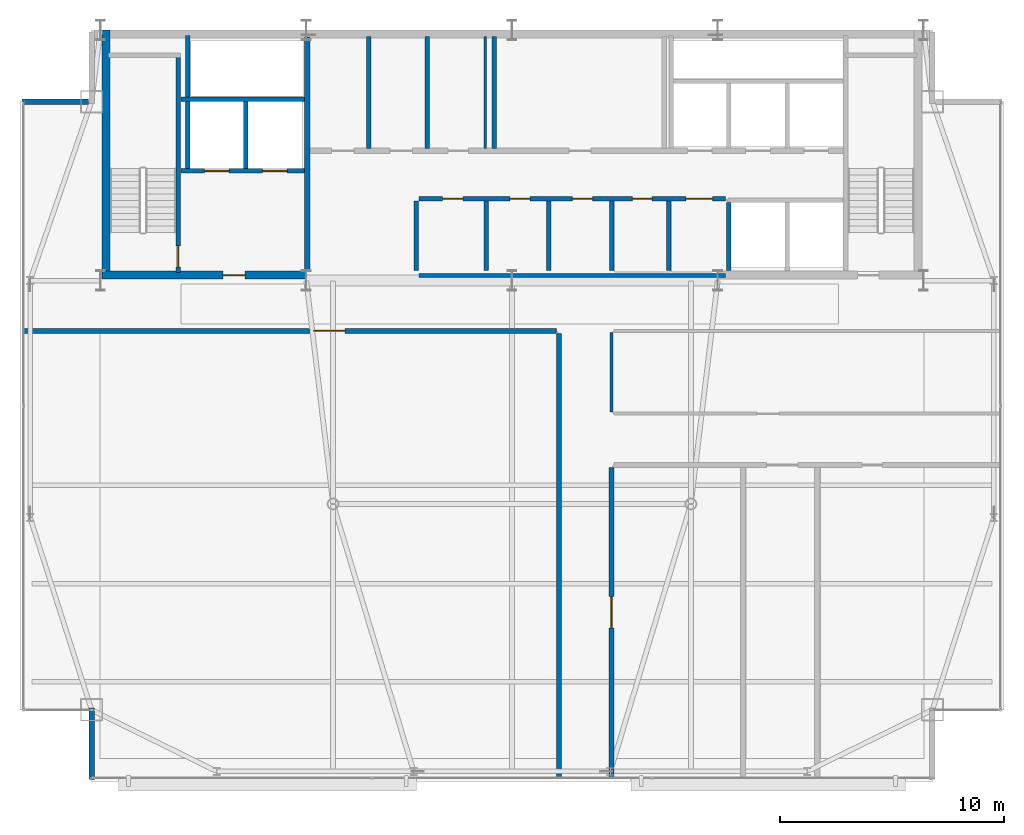
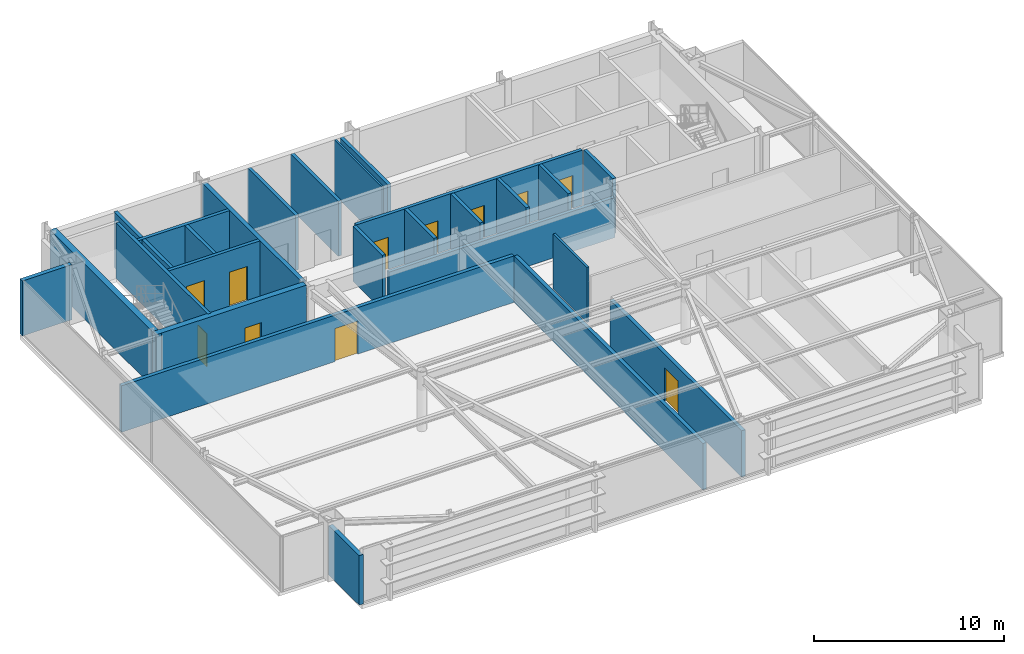
# One storey, part 21 of 24: 26 walls, 11 doors, 11 openings.
"""IFC4 building model written with IfcOpenShell, lengths in metres."""

from ifc_helpers import new_model, si_unit, direction, frame, frame_2d, origin, place, context, subcontext, project, spatial, rectangle, extrude, source, transform, mapped, material, layer, layer_set, type_object, type_shapes, element, fill, save


model = new_model("IFC4")

# Units and contexts
model_context = context("Model", 3, precision=1e-05, world=origin(), true_north=direction((0.0, 1.0)))
body_context = subcontext(model_context, "Body", "Model", "MODEL_VIEW")
ifc_project = project(units=[si_unit("LENGTHUNIT", "METRE"), si_unit("AREAUNIT", "SQUARE_METRE"), si_unit("VOLUMEUNIT", "CUBIC_METRE"), si_unit("PLANEANGLEUNIT", "RADIAN"), si_unit("MASSUNIT", "GRAM", prefix="KILO")], contexts=[model_context])

# Site, building, storey
site_placement = place(None, origin())
site = spatial("IfcSite", under=ifc_project, at=site_placement, CompositionType="ELEMENT")
building_placement = place(site_placement, origin())
building = spatial("IfcBuilding", under=site, at=building_placement, Name="Varnel Quay Broadcast Tower", CompositionType="ELEMENT")
storey_placement = place(building_placement, frame((0.0, 0.0, 285.0)))
storey = spatial("IfcBuildingStorey", under=building, at=storey_placement, Name="L71", CompositionType="ELEMENT", Elevation=285.0)

# Wall, opening, door
ifc_material_1 = material(Name="Concrete CSA A23.3 C50/60", Category="concrete")
ifc_layer_1 = layer(ifc_material_1, 0.199951171875, Name="Concrete CSA A23.3 C50/60")
ifc_layer_set_1 = layer_set([ifc_layer_1], Name="Concrete CSA A23.3 C50/60")
wall_type_1 = type_object("IfcWallType", Name="Wall_CoreShaftShear200", PredefinedType="SHEAR", material=ifc_layer_set_1)
wall_1_placement = place(storey_placement, frame((19.080078125, 35.949951171875, 0.0), z_axis=(0.0, 0.0, 1.0), x_axis=(0.0, 1.0, 0.0)))
wall_1 = element("IfcWall", 1, at=wall_1_placement, inside=storey, type_object=wall_type_1, Name="L71 Stair 1 East Structural Wall", PredefinedType="SHEAR", context=body_context, shape_type="SweptSolid", body=[
    extrude(rectangle(XDim=9.650146484375, YDim=0.199951171875, at=frame_2d((4.8251953125, 0.0))), origin(), (0.0, 0.0, 1.0), 3.550048828125),
])
opening_1_placement = place(wall_1_placement, frame((0.25, 0.0, 0.0)))
opening_1 = element("IfcOpeningElement", 2, at=opening_1_placement, cuts=wall_1, Name="Opening D-L71-S1", PredefinedType="OPENING", context=body_context, shape_type="SweptSolid", body=[
    extrude(rectangle(XDim=0.949951171875, YDim=2.10009765625, at=frame_2d((0.47509765625, 1.050048828125))), frame((0.0, 0.10986328125, 0.0), z_axis=(0.0, -1.0, 0.0), x_axis=(1.0, 0.0, 0.0)), (0.0, 0.0, 1.0), 0.219970703125),
])
ifc_material_2 = material(Name="Insulated Fire-Rated Hollow Steel Door", Category="steel")
door_type_1 = type_object("IfcDoorType", Name="Door_FireStair950", OperationType="NOTDEFINED", PredefinedType="DOOR", material=ifc_material_2)
shared_shape_1 = source(origin(), body_context, "Body", "SweptSolid", [
    extrude(rectangle(XDim=0.949951171875, YDim=2.10009765625, at=frame_2d((0.47509765625, 1.050048828125))), frame((0.0, 0.02490234375, 0.0), z_axis=(0.0, -1.0, 0.0), x_axis=(1.0, 0.0, 0.0)), (0.0, 0.0, 1.0), 0.050048828125),
])
type_shapes(door_type_1, [shared_shape_1])
door_1_placement = place(opening_1_placement, origin())
door_1 = element("IfcDoor", 3, at=door_1_placement, inside=storey, type_object=door_type_1, Name="L71 Stair 1 Fire Door", OperationType="SINGLE_SWING_RIGHT", OverallHeight=2.10009765625, OverallWidth=0.949951171875, PredefinedType="DOOR", context=body_context, shape_type="MappedRepresentation", body=[
    mapped(shared_shape_1, transform((0.0, 0.0, 0.0), x_axis=(1.0, 0.0, 0.0), y_axis=(0.0, 1.0, 0.0), z_axis=(0.0, 0.0, 1.0), scale=1.0)),
])
fill(opening_1, door_1)

# Wall, openings, doors
wall_2_placement = place(storey_placement, frame((19.199951171875, 40.5, 0.0), z_axis=(0.0, 0.0, 1.0), x_axis=(1.0, 0.0, 0.0)))
wall_2 = element("IfcWall", 4, at=wall_2_placement, inside=storey, type_object=wall_type_1, Name="L71 Firefighter Lift Shaft Front Wall", PredefinedType="SHEAR", context=body_context, shape_type="SweptSolid", body=[
    extrude(rectangle(XDim=5.52001953125, YDim=0.199951171875, at=frame_2d((2.760009765625, 0.0))), origin(), (0.0, 0.0, 1.0), 3.550048828125),
])
opening_2_placement = place(wall_2_placement, frame((1.050048828125, 0.0, 0.0)))
opening_2 = element("IfcOpeningElement", 5, at=opening_2_placement, cuts=wall_2, Name="Opening LD-L71-FE1", PredefinedType="OPENING", context=body_context, shape_type="SweptSolid", body=[
    extrude(rectangle(XDim=1.10009765625, YDim=2.179931640625, at=frame_2d((0.550048828125, 1.08984375))), frame((0.0, 0.10986328125, 0.0), z_axis=(0.0, -1.0, 0.0), x_axis=(1.0, 0.0, 0.0)), (0.0, 0.0, 1.0), 0.219970703125),
])
opening_3_placement = place(wall_2_placement, frame((3.64990234375, 0.0, 0.0)))
opening_3 = element("IfcOpeningElement", 6, at=opening_3_placement, cuts=wall_2, Name="Opening LD-L71-FE2", PredefinedType="OPENING", context=body_context, shape_type="SweptSolid", body=[
    extrude(rectangle(XDim=1.10009765625, YDim=2.179931640625, at=frame_2d((0.550048828125, 1.08984375))), frame((0.0, 0.10986328125, 0.0), z_axis=(0.0, -1.0, 0.0), x_axis=(1.0, 0.0, 0.0)), (0.0, 0.0, 1.0), 0.219970703125),
])
ifc_material_3 = material(Name="Brushed Bronze-Stainless Lift Car & Sliding Doors", Category="steel")
door_type_2 = type_object("IfcDoorType", Name="Door_LiftLanding1100", OperationType="SLIDING_TO_LEFT", PredefinedType="DOOR", material=ifc_material_3)
shared_shape_2 = source(origin(), body_context, "Body", "SweptSolid", [
    extrude(rectangle(XDim=1.10009765625, YDim=2.179931640625, at=frame_2d((0.550048828125, 1.08984375))), frame((0.0, 0.02490234375, 0.0), z_axis=(0.0, -1.0, 0.0), x_axis=(1.0, 0.0, 0.0)), (0.0, 0.0, 1.0), 0.050048828125),
])
type_shapes(door_type_2, [shared_shape_2])
door_2_placement = place(opening_2_placement, frame((1.10009765625, 0.0, 0.0), z_axis=(0.0, 0.0, 1.0), x_axis=(-1.0, 0.0, 0.0)))
door_2 = element("IfcDoor", 7, at=door_2_placement, inside=storey, type_object=door_type_2, Name="L71 Firefighter Lift FE-01 Landing Door", OperationType="SLIDING_TO_LEFT", OverallHeight=2.179931640625, OverallWidth=1.10009765625, PredefinedType="DOOR", context=body_context, shape_type="MappedRepresentation", body=[
    mapped(shared_shape_2, transform((0.0, 0.0, 0.0), x_axis=(1.0, 0.0, 0.0), y_axis=(0.0, 1.0, 0.0), z_axis=(0.0, 0.0, 1.0), scale=1.0)),
])
fill(opening_2, door_2)
door_3_placement = place(opening_3_placement, frame((1.10009765625, 0.0, 0.0), z_axis=(0.0, 0.0, 1.0), x_axis=(-1.0, 0.0, 0.0)))
door_3 = element("IfcDoor", 8, at=door_3_placement, inside=storey, type_object=door_type_2, Name="L71 Firefighter Lift FE-02 Landing Door", OperationType="SLIDING_TO_RIGHT", OverallHeight=2.179931640625, OverallWidth=1.10009765625, PredefinedType="DOOR", context=body_context, shape_type="MappedRepresentation", body=[
    mapped(shared_shape_2, transform((0.0, 0.0, 0.0), x_axis=(1.0, 0.0, 0.0), y_axis=(0.0, 1.0, 0.0), z_axis=(0.0, 0.0, 1.0), scale=1.0)),
])
fill(opening_3, door_3)

# Walls
wall_3_placement = place(storey_placement, frame((19.199951171875, 43.699951171875, 0.0), z_axis=(0.0, 0.0, 1.0), x_axis=(1.0, 0.0, 0.0)))
element("IfcWall", 9, at=wall_3_placement, inside=storey, type_object=wall_type_1, Name="L71 Firefighter Lift Shaft Rear Wall", PredefinedType="SHEAR", context=body_context, shape_type="SweptSolid", body=[
    extrude(rectangle(XDim=5.52001953125, YDim=0.199951171875, at=frame_2d((2.760009765625, 0.0))), origin(), (0.0, 0.0, 1.0), 3.550048828125),
])
wall_4_placement = place(storey_placement, frame((22.10009765625, 40.60009765625, 0.0), z_axis=(0.0, 0.0, 1.0), x_axis=(0.0, 1.0, 0.0)))
element("IfcWall", 10, at=wall_4_placement, inside=storey, type_object=wall_type_1, Name="L71 Firefighter Lift Shaft Divider", PredefinedType="SHEAR", context=body_context, shape_type="SweptSolid", body=[
    extrude(rectangle(XDim=3.0, YDim=0.199951171875, at=frame_2d((1.5, 0.0))), origin(), (0.0, 0.0, 1.0), 3.550048828125),
])
wall_5_placement = place(storey_placement, frame((19.5, 40.60009765625, 0.0), z_axis=(0.0, 0.0, 1.0), x_axis=(0.0, 1.0, 0.0)))
element("IfcWall", 11, at=wall_5_placement, inside=storey, type_object=wall_type_1, Name="L71 Firefighter Lift Shaft West Wall", PredefinedType="SHEAR", context=body_context, shape_type="SweptSolid", body=[
    extrude(rectangle(XDim=5.949951171875, YDim=0.199951171875, at=frame_2d((2.97509765625, 0.0))), origin(), (0.0, 0.0, 1.0), 3.550048828125),
])
wall_6_placement = place(storey_placement, frame((43.699951171875, 36.050048828125, 0.0), z_axis=(0.0, 0.0, 1.0), x_axis=(0.0, 1.0, 0.0)))
element("IfcWall", 12, at=wall_6_placement, inside=storey, type_object=wall_type_1, Name="L71 Express Lift Shaft West Wall", PredefinedType="SHEAR", context=body_context, shape_type="SweptSolid", body=[
    extrude(rectangle(XDim=3.050048828125, YDim=0.199951171875, at=frame_2d((1.52490234375, 0.0))), origin(), (0.0, 0.0, 1.0), 3.550048828125),
])
ifc_layer_2 = layer(ifc_material_1, 0.25, Name="Concrete CSA A23.3 C50/60")
ifc_layer_set_2 = layer_set([ifc_layer_2], Name="Concrete CSA A23.3 C50/60")
wall_type_2 = type_object("IfcWallType", Name="Wall_CoreShaftShear250", PredefinedType="SHEAR", material=ifc_layer_set_2)
wall_7_placement = place(storey_placement, frame((24.85009765625, 36.050048828125, 0.0), z_axis=(0.0, 0.0, 1.0), x_axis=(0.0, 1.0, 0.0)))
element("IfcWall", 13, at=wall_7_placement, inside=storey, type_object=wall_type_2, Name="L71 Firefighting Lobby East Structural Wall", PredefinedType="SHEAR", context=body_context, shape_type="SweptSolid", body=[
    extrude(rectangle(XDim=10.449951171875, YDim=0.25, at=frame_2d((5.22509765625, 0.0))), origin(), (0.0, 0.0, 1.0), 3.550048828125),
])
ifc_layer_3 = layer(ifc_material_1, 0.35009765625, Name="Concrete CSA A23.3 C50/60")
ifc_layer_set_3 = layer_set([ifc_layer_3], Name="Concrete CSA A23.3 C50/60")
wall_type_3 = type_object("IfcWallType", Name="Wall_CoreShearInt350", PredefinedType="SHEAR", material=ifc_layer_set_3)
wall_8_placement = place(storey_placement, frame((15.844970703125, 35.669921875, 0.0), z_axis=(0.0, 0.0, 1.0), x_axis=(0.0, 1.0, 0.0)))
element("IfcWall", 14, at=wall_8_placement, inside=storey, type_object=wall_type_3, Name="L71 West Core Shear Wall", PredefinedType="SHEAR", context=body_context, shape_type="SweptSolid", body=[
    extrude(rectangle(XDim=11.130126953125, YDim=0.35009765625, at=frame_2d((5.56494140625, 0.0))), origin(), (0.0, 0.0, 1.0), 3.550048828125),
])

# Wall, opening, door
wall_9_placement = place(storey_placement, frame((15.669921875, 35.844970703125, 0.0), z_axis=(0.0, 0.0, 1.0), x_axis=(1.0, 0.0, 0.0)))
wall_9 = element("IfcWall", 15, at=wall_9_placement, inside=storey, type_object=wall_type_3, Name="L71 South-West Core Shear Wall", PredefinedType="SHEAR", context=body_context, shape_type="SweptSolid", body=[
    extrude(rectangle(XDim=9.130126953125, YDim=0.35009765625, at=frame_2d((4.56494140625, 0.0))), origin(), (0.0, 0.0, 1.0), 3.550048828125),
])
opening_4_placement = place(wall_9_placement, frame((5.39990234375, 0.0, 0.0)))
opening_4 = element("IfcOpeningElement", 16, at=opening_4_placement, cuts=wall_9, Name="Opening D-L71-FFL", PredefinedType="OPENING", context=body_context, shape_type="SweptSolid", body=[
    extrude(rectangle(XDim=1.0, YDim=2.10009765625, at=frame_2d((0.5, 1.050048828125))), frame((0.0, 0.18505859375, 0.0), z_axis=(0.0, -1.0, 0.0), x_axis=(1.0, 0.0, 0.0)), (0.0, 0.0, 1.0), 0.3701171875),
])
door_type_3 = type_object("IfcDoorType", Name="Door_FireLobby1000", OperationType="NOTDEFINED", PredefinedType="DOOR", material=ifc_material_2)
shared_shape_3 = source(origin(), body_context, "Body", "SweptSolid", [
    extrude(rectangle(XDim=1.0, YDim=2.10009765625, at=frame_2d((0.5, 1.050048828125))), frame((0.0, 0.02490234375, 0.0), z_axis=(0.0, -1.0, 0.0), x_axis=(1.0, 0.0, 0.0)), (0.0, 0.0, 1.0), 0.050048828125),
])
type_shapes(door_type_3, [shared_shape_3])
door_4_placement = place(opening_4_placement, origin())
door_4 = element("IfcDoor", 17, at=door_4_placement, inside=storey, type_object=door_type_3, Name="L71 Firefighting Lobby Door", OperationType="SINGLE_SWING_LEFT", OverallHeight=2.10009765625, OverallWidth=1.0, PredefinedType="DOOR", context=body_context, shape_type="MappedRepresentation", body=[
    mapped(shared_shape_3, transform((0.0, 0.0, 0.0), x_axis=(1.0, 0.0, 0.0), y_axis=(0.0, 1.0, 0.0), z_axis=(0.0, 0.0, 1.0), scale=1.0)),
])
fill(opening_4, door_4)

# Walls
ifc_material_4 = material(Name="Precast Architectural Concrete C40/50", Category="concrete")
ifc_layer_4 = layer(ifc_material_4, 0.25, Name="Precast Architectural Concrete C40/50")
ifc_layer_set_4 = layer_set([ifc_layer_4], Name="Precast Architectural Concrete C40/50")
wall_type_4 = type_object("IfcWallType", Name="Wall_ExtTerrace250", PredefinedType="SOLIDWALL", material=ifc_layer_set_4)
wall_10_placement = place(storey_placement, frame((15.199951171875, 13.280029296875, 0.0), z_axis=(0.0, 0.0, 1.0), x_axis=(0.0, 1.0, 0.0)))
element("IfcWall", 18, at=wall_10_placement, inside=storey, type_object=wall_type_4, Name="L71 Mega-Column Notch Cladding Wall NSW2", PredefinedType="SOLIDWALL", context=body_context, shape_type="SweptSolid", body=[
    extrude(rectangle(XDim=3.199951171875, YDim=0.25, at=frame_2d((1.60009765625, 0.0))), origin(), (0.0, 0.0, 1.0), 3.1708984375),
])
wall_11_placement = place(storey_placement, frame((12.080078125, 43.60009765625, 0.0), z_axis=(0.0, 0.0, 1.0), x_axis=(1.0, 0.0, 0.0)))
element("IfcWall", 19, at=wall_11_placement, inside=storey, type_object=wall_type_4, Name="L71 Mega-Column Notch Cladding Wall NNW1", PredefinedType="SOLIDWALL", context=body_context, shape_type="SweptSolid", body=[
    extrude(rectangle(XDim=2.989990234375, YDim=0.25, at=frame_2d((1.4951171875, 0.0))), origin(), (0.0, 0.0, 1.0), 3.530029296875),
])
ifc_material_5 = material(Name="Concrete Blockwork Fire Enclosure C40/50", Category="masonry")
ifc_layer_5 = layer(ifc_material_5, 0.199951171875, Name="Concrete Blockwork Fire Enclosure C40/50")
ifc_layer_set_5 = layer_set([ifc_layer_5], Name="Concrete Blockwork Fire Enclosure C40/50")
wall_type_5 = type_object("IfcWallType", Name="Wall_FireShaft200", PredefinedType="SOLIDWALL", material=ifc_layer_set_5)
wall_12_placement = place(storey_placement, frame((29.85009765625, 35.824951171875, 0.0), z_axis=(0.0, 0.0, 1.0), x_axis=(1.0, 0.0, 0.0)))
element("IfcWall", 20, at=wall_12_placement, inside=storey, type_object=wall_type_5, Name="L71 Accessible Washroom Partition 1", PredefinedType="SOLIDWALL", context=body_context, shape_type="SweptSolid", body=[
    extrude(rectangle(XDim=13.699951171875, YDim=0.199951171875, at=frame_2d((6.85009765625, 0.0))), origin(), (0.0, 0.0, 1.0), 2.574951171875),
])

# Wall, openings, doors
wall_13_placement = place(storey_placement, frame((29.85009765625, 39.25, 0.0), z_axis=(0.0, 0.0, 1.0), x_axis=(1.0, 0.0, 0.0)))
wall_13 = element("IfcWall", 21, at=wall_13_placement, inside=storey, type_object=wall_type_5, Name="L71 Accessible Washroom Partition 3", PredefinedType="SOLIDWALL", context=body_context, shape_type="SweptSolid", body=[
    extrude(rectangle(XDim=13.699951171875, YDim=0.199951171875, at=frame_2d((6.85009765625, 0.0))), origin(), (0.0, 0.0, 1.0), 3.530029296875),
])
opening_5_placement = place(wall_13_placement, frame((1.050048828125, 0.0, 0.0)))
opening_5 = element("IfcOpeningElement", 22, at=opening_5_placement, cuts=wall_13, Name="Opening D-L71-01", PredefinedType="OPENING", context=body_context, shape_type="SweptSolid", body=[
    extrude(rectangle(XDim=0.89990234375, YDim=2.06005859375, at=frame_2d((0.449951171875, 1.030029296875))), frame((0.0, 0.10986328125, 0.0), z_axis=(0.0, -1.0, 0.0), x_axis=(1.0, 0.0, 0.0)), (0.0, 0.0, 1.0), 0.219970703125),
])
opening_6_placement = place(wall_13_placement, frame((4.050048828125, 0.0, 0.0)))
opening_6 = element("IfcOpeningElement", 23, at=opening_6_placement, cuts=wall_13, Name="Opening D-L71-02", PredefinedType="OPENING", context=body_context, shape_type="SweptSolid", body=[
    extrude(rectangle(XDim=0.89990234375, YDim=2.06005859375, at=frame_2d((0.449951171875, 1.030029296875))), frame((0.0, 0.10986328125, 0.0), z_axis=(0.0, -1.0, 0.0), x_axis=(1.0, 0.0, 0.0)), (0.0, 0.0, 1.0), 0.219970703125),
])
opening_7_placement = place(wall_13_placement, frame((6.85009765625, 0.0, 0.0)))
opening_7 = element("IfcOpeningElement", 24, at=opening_7_placement, cuts=wall_13, Name="Opening D-L71-03", PredefinedType="OPENING", context=body_context, shape_type="SweptSolid", body=[
    extrude(rectangle(XDim=0.89990234375, YDim=2.06005859375, at=frame_2d((0.449951171875, 1.030029296875))), frame((0.0, 0.10986328125, 0.0), z_axis=(0.0, -1.0, 0.0), x_axis=(1.0, 0.0, 0.0)), (0.0, 0.0, 1.0), 0.219970703125),
])
opening_8_placement = place(wall_13_placement, frame((9.534912109375, 0.0, 0.0)))
opening_8 = element("IfcOpeningElement", 25, at=opening_8_placement, cuts=wall_13, Name="Opening D-L71-04", PredefinedType="OPENING", context=body_context, shape_type="SweptSolid", body=[
    extrude(rectangle(XDim=0.8798828125, YDim=2.06005859375, at=frame_2d((0.43994140625, 1.030029296875))), frame((0.0, 0.10986328125, 0.0), z_axis=(0.0, -1.0, 0.0), x_axis=(1.0, 0.0, 0.0)), (0.0, 0.0, 1.0), 0.219970703125),
])
opening_9_placement = place(wall_13_placement, frame((11.925048828125, 0.0, 0.0)))
opening_9 = element("IfcOpeningElement", 26, at=opening_9_placement, cuts=wall_13, Name="Opening D-L71-05", PredefinedType="OPENING", context=body_context, shape_type="SweptSolid", body=[
    extrude(rectangle(XDim=1.199951171875, YDim=2.10009765625, at=frame_2d((0.60009765625, 1.050048828125))), frame((0.0, 0.10986328125, 0.0), z_axis=(0.0, -1.0, 0.0), x_axis=(1.0, 0.0, 0.0)), (0.0, 0.0, 1.0), 0.219970703125),
])
ifc_material_6 = material(Name="Solid-Core Fire-Rated Acoustic Oak Veneer Door", Category="wood")
door_type_4 = type_object("IfcDoorType", Name="Door_Washroom900", OperationType="NOTDEFINED", PredefinedType="DOOR", material=ifc_material_6)
shared_shape_4 = source(origin(), body_context, "Body", "SweptSolid", [
    extrude(rectangle(XDim=0.89990234375, YDim=2.06005859375, at=frame_2d((0.449951171875, 1.030029296875))), frame((0.0, 0.02490234375, 0.0), z_axis=(0.0, -1.0, 0.0), x_axis=(1.0, 0.0, 0.0)), (0.0, 0.0, 1.0), 0.050048828125),
])
type_shapes(door_type_4, [shared_shape_4])
door_5_placement = place(opening_5_placement, frame((0.89990234375, 0.0, 0.0), z_axis=(0.0, 0.0, 1.0), x_axis=(-1.0, 0.0, 0.0)))
door_5 = element("IfcDoor", 27, at=door_5_placement, inside=storey, type_object=door_type_4, Name="L71 Accessible Washroom Door D-L71-01", OperationType="SINGLE_SWING_LEFT", OverallHeight=2.06005859375, OverallWidth=0.89990234375, PredefinedType="DOOR", context=body_context, shape_type="MappedRepresentation", body=[
    mapped(shared_shape_4, transform((0.0, 0.0, 0.0), x_axis=(1.0, 0.0, 0.0), y_axis=(0.0, 1.0, 0.0), z_axis=(0.0, 0.0, 1.0), scale=1.0)),
])
fill(opening_5, door_5)
door_6_placement = place(opening_6_placement, frame((0.89990234375, 0.0, 0.0), z_axis=(0.0, 0.0, 1.0), x_axis=(-1.0, 0.0, 0.0)))
door_6 = element("IfcDoor", 28, at=door_6_placement, inside=storey, type_object=door_type_4, Name="L71 West Gender-Neutral Washroom Door D-L71-02", OperationType="SINGLE_SWING_RIGHT", OverallHeight=2.06005859375, OverallWidth=0.89990234375, PredefinedType="DOOR", context=body_context, shape_type="MappedRepresentation", body=[
    mapped(shared_shape_4, transform((0.0, 0.0, 0.0), x_axis=(1.0, 0.0, 0.0), y_axis=(0.0, 1.0, 0.0), z_axis=(0.0, 0.0, 1.0), scale=1.0)),
])
fill(opening_6, door_6)
door_7_placement = place(opening_7_placement, frame((0.89990234375, 0.0, 0.0), z_axis=(0.0, 0.0, 1.0), x_axis=(-1.0, 0.0, 0.0)))
door_7 = element("IfcDoor", 29, at=door_7_placement, inside=storey, type_object=door_type_4, Name="L71 East Staff Washroom Door D-L71-03", OperationType="SINGLE_SWING_LEFT", OverallHeight=2.06005859375, OverallWidth=0.89990234375, PredefinedType="DOOR", context=body_context, shape_type="MappedRepresentation", body=[
    mapped(shared_shape_4, transform((0.0, 0.0, 0.0), x_axis=(1.0, 0.0, 0.0), y_axis=(0.0, 1.0, 0.0), z_axis=(0.0, 0.0, 1.0), scale=1.0)),
])
fill(opening_7, door_7)
door_type_5 = type_object("IfcDoorType", Name="Door_Plant1200", OperationType="NOTDEFINED", PredefinedType="DOOR", material=ifc_material_2)
shared_shape_5 = source(origin(), body_context, "Body", "SweptSolid", [
    extrude(rectangle(XDim=1.199951171875, YDim=2.10009765625, at=frame_2d((0.60009765625, 1.050048828125))), frame((0.0, 0.02490234375, 0.0), z_axis=(0.0, -1.0, 0.0), x_axis=(1.0, 0.0, 0.0)), (0.0, 0.0, 1.0), 0.050048828125),
])
type_shapes(door_type_5, [shared_shape_5])
door_8_placement = place(opening_9_placement, origin())
door_8 = element("IfcDoor", 30, at=door_8_placement, inside=storey, type_object=door_type_5, Name="L71 Telecom IDF Closet Door D-L71-05", OperationType="SINGLE_SWING_LEFT", OverallHeight=2.10009765625, OverallWidth=1.199951171875, PredefinedType="DOOR", context=body_context, shape_type="MappedRepresentation", body=[
    mapped(shared_shape_5, transform((0.0, 0.0, 0.0), x_axis=(1.0, 0.0, 0.0), y_axis=(0.0, 1.0, 0.0), z_axis=(0.0, 0.0, 1.0), scale=1.0)),
])
fill(opening_9, door_8)
door_type_6 = type_object("IfcDoorType", Name="Door_Booth880", OperationType="NOTDEFINED", PredefinedType="DOOR", material=ifc_material_6)
shared_shape_6 = source(origin(), body_context, "Body", "SweptSolid", [
    extrude(rectangle(XDim=0.8798828125, YDim=2.06005859375, at=frame_2d((0.43994140625, 1.030029296875))), frame((0.0, 0.02490234375, 0.0), z_axis=(0.0, -1.0, 0.0), x_axis=(1.0, 0.0, 0.0)), (0.0, 0.0, 1.0), 0.050048828125),
])
type_shapes(door_type_6, [shared_shape_6])
door_9_placement = place(opening_8_placement, frame((0.8798828125, 0.0, 0.0), z_axis=(0.0, 0.0, 1.0), x_axis=(-1.0, 0.0, 0.0)))
door_9 = element("IfcDoor", 31, at=door_9_placement, inside=storey, type_object=door_type_6, Name="L71 Cleaners' & Linen Store Door D-L71-04", OperationType="SINGLE_SWING_RIGHT", OverallHeight=2.06005859375, OverallWidth=0.8798828125, PredefinedType="DOOR", context=body_context, shape_type="MappedRepresentation", body=[
    mapped(shared_shape_6, transform((0.0, 0.0, 0.0), x_axis=(1.0, 0.0, 0.0), y_axis=(0.0, 1.0, 0.0), z_axis=(0.0, 0.0, 1.0), scale=1.0)),
])
fill(opening_8, door_9)

# Walls
wall_14_placement = place(storey_placement, frame((41.0, 36.050048828125, 0.0), z_axis=(0.0, 0.0, 1.0), x_axis=(0.0, 1.0, 0.0)))
element("IfcWall", 32, at=wall_14_placement, inside=storey, type_object=wall_type_5, Name="L71 Cleaners' & Linen Store Partition 7", PredefinedType="SOLIDWALL", context=body_context, shape_type="SweptSolid", body=[
    extrude(rectangle(XDim=3.099853515625, YDim=0.199951171875, at=frame_2d((1.5498046875, 0.0))), origin(), (0.0, 0.0, 1.0), 3.530029296875),
])
for number, where, z_axis, x_axis, name in (
    (33, (27.60009765625, 41.5, 0.0), (0.0, 0.0, 1.0), (0.0, 1.0, 0.0), "L71 Ingest Rack Bay A Partition 17"),
    (34, (30.199951171875, 41.5, 0.0), (0.0, 0.0, 1.0), (0.0, 1.0, 0.0), "L71 Fiber Patch Bay Partition 18"),
    (35, (33.199951171875, 41.5, 0.0), (0.0, 0.0, 1.0), (0.0, 1.0, 0.0), "L71 High-Zone Broadcast Rack Hall Partition 21"),
):
    element("IfcWall", number, at=place(storey_placement, frame(where, z_axis=z_axis, x_axis=x_axis)), inside=storey, type_object=wall_type_5, Name=name, PredefinedType="SOLIDWALL", context=body_context, shape_type="SweptSolid", body=[
        extrude(rectangle(XDim=5.02001953125, YDim=0.199951171875, at=frame_2d((2.510009765625, 0.0))), origin(), (0.0, 0.0, 1.0), 3.530029296875),
    ])
ifc_material_7 = material(Name="Steel-Stud Fire-Rated Acoustic Gypsum Partition Assembly", Category="steel")
ifc_layer_6 = layer(ifc_material_7, 0.10498046875, Name="Steel-Stud Fire-Rated Acoustic Gypsum Partition Assembly")
ifc_layer_set_6 = layer_set([ifc_layer_6], Name="Steel-Stud Fire-Rated Acoustic Gypsum Partition Assembly")
wall_type_6 = type_object("IfcWallType", Name="Wall_Partition105", PredefinedType="PARTITIONING", material=ifc_layer_set_6)
wall_15_placement = place(storey_placement, frame((32.800048828125, 41.5, 0.0), z_axis=(0.0, 0.0, 1.0), x_axis=(0.0, 1.0, 0.0)))
element("IfcWall", 36, at=wall_15_placement, inside=storey, type_object=wall_type_6, Name="L71 Telemetry Store Partition 19", PredefinedType="PARTITIONING", context=body_context, shape_type="SweptSolid", body=[
    extrude(rectangle(XDim=5.02001953125, YDim=0.10498046875, at=frame_2d((2.510009765625, 0.0))), origin(), (0.0, 0.0, 1.0), 3.530029296875),
])
ifc_layer_7 = layer(ifc_material_7, 0.139892578125, Name="Steel-Stud Fire-Rated Acoustic Gypsum Partition Assembly")
ifc_layer_set_7 = layer_set([ifc_layer_7], Name="Steel-Stud Fire-Rated Acoustic Gypsum Partition Assembly")
wall_type_7 = type_object("IfcWallType", Name="Wall_Partition140", PredefinedType="PARTITIONING", material=ifc_layer_set_7)
wall_16_placement = place(storey_placement, frame((38.449951171875, 29.719970703125, 0.0), z_axis=(0.0, 0.0, 1.0), x_axis=(0.0, 1.0, 0.0)))
element("IfcWall", 37, at=wall_16_placement, inside=storey, type_object=wall_type_7, Name="L71 Talent Lounge 5 Partition 16", PredefinedType="PARTITIONING", context=body_context, shape_type="SweptSolid", body=[
    extrude(rectangle(XDim=3.56005859375, YDim=0.139892578125, at=frame_2d((1.780029296875, 0.0))), origin(), (0.0, 0.0, 1.0), 3.530029296875),
])
ifc_layer_8 = layer(ifc_material_7, 0.22509765625, Name="Steel-Stud Fire-Rated Acoustic Gypsum Partition Assembly")
ifc_layer_set_8 = layer_set([ifc_layer_8], Name="Steel-Stud Fire-Rated Acoustic Gypsum Partition Assembly")
wall_type_8 = type_object("IfcWallType", Name="Wall_Partition225", PredefinedType="PARTITIONING", material=ifc_layer_set_8)
wall_17_placement = place(storey_placement, frame((36.10009765625, 13.3798828125, 0.0), z_axis=(0.0, 0.0, 1.0), x_axis=(0.0, 1.0, 0.0)))
element("IfcWall", 38, at=wall_17_placement, inside=storey, type_object=wall_type_8, Name="L71 Podcast Recording Studio 1 Partition 8", PredefinedType="PARTITIONING", context=body_context, shape_type="SweptSolid", body=[
    extrude(rectangle(XDim=19.858154296875, YDim=0.22509765625, at=frame_2d((9.92919921875, 0.0))), origin(), (0.0, 0.0, 1.0), 2.98095703125),
])

# Wall, opening, door
wall_18_placement = place(storey_placement, frame((12.179931640625, 33.35009765625, 0.0), z_axis=(0.0, 0.0, 1.0), x_axis=(1.0, 0.0, 0.0)))
wall_18 = element("IfcWall", 39, at=wall_18_placement, inside=storey, type_object=wall_type_8, Name="L71 Podcast Recording Studio 1 Partition 9", PredefinedType="PARTITIONING", context=body_context, shape_type="SweptSolid", body=[
    extrude(rectangle(XDim=23.820068359375, YDim=0.22509765625, at=frame_2d((11.91015625, 0.0))), origin(), (0.0, 0.0, 1.0), 2.98095703125),
])
opening_10_placement = place(wall_18_placement, frame((12.945068359375, 0.0, 0.0)))
opening_10 = element("IfcOpeningElement", 40, at=opening_10_placement, cuts=wall_18, Name="Opening D-L71-06", PredefinedType="OPENING", context=body_context, shape_type="SweptSolid", body=[
    extrude(rectangle(XDim=1.39990234375, YDim=2.1201171875, at=frame_2d((0.699951171875, 1.06005859375))), frame((0.0, 0.12255859375, 0.0), z_axis=(0.0, -1.0, 0.0), x_axis=(1.0, 0.0, 0.0)), (0.0, 0.0, 1.0), 0.2451171875),
])
door_type_7 = type_object("IfcDoorType", Name="Door_Gallery1400", OperationType="DOUBLE_DOOR_SINGLE_SWING", PredefinedType="DOOR", material=ifc_material_6)
shared_shape_7 = source(origin(), body_context, "Body", "SweptSolid", [
    extrude(rectangle(XDim=1.39990234375, YDim=2.1201171875, at=frame_2d((0.699951171875, 1.06005859375))), frame((0.0, 0.02490234375, 0.0), z_axis=(0.0, -1.0, 0.0), x_axis=(1.0, 0.0, 0.0)), (0.0, 0.0, 1.0), 0.050048828125),
])
type_shapes(door_type_7, [shared_shape_7])
door_10_placement = place(opening_10_placement, frame((1.39990234375, 0.0, 0.0), z_axis=(0.0, 0.0, 1.0), x_axis=(-1.0, 0.0, 0.0)))
door_10 = element("IfcDoor", 41, at=door_10_placement, inside=storey, type_object=door_type_7, Name="L71 Podcast Recording Studio 1 Door D-L71-06", OperationType="DOUBLE_DOOR_SINGLE_SWING", OverallHeight=2.1201171875, OverallWidth=1.39990234375, PredefinedType="DOOR", context=body_context, shape_type="MappedRepresentation", body=[
    mapped(shared_shape_7, transform((0.0, 0.0, 0.0), x_axis=(1.0, 0.0, 0.0), y_axis=(0.0, 1.0, 0.0), z_axis=(0.0, 0.0, 1.0), scale=1.0)),
])
fill(opening_10, door_10)

wall_19_placement = place(storey_placement, frame((38.449951171875, 13.3798828125, 0.0), z_axis=(0.0, 0.0, 1.0), x_axis=(0.0, 1.0, 0.0)))
wall_19 = element("IfcWall", 42, at=wall_19_placement, inside=storey, type_object=wall_type_8, Name="L71 Foley Sound Studio 2 Partition 12", PredefinedType="PARTITIONING", context=body_context, shape_type="SweptSolid", body=[
    extrude(rectangle(XDim=13.858154296875, YDim=0.22509765625, at=frame_2d((6.92919921875, 0.0))), origin(), (0.0, 0.0, 1.0), 2.98095703125),
])
opening_11_placement = place(wall_19_placement, frame((6.68408203125, 0.0, 0.0)))
opening_11 = element("IfcOpeningElement", 43, at=opening_11_placement, cuts=wall_19, Name="Opening D-L71-07", PredefinedType="OPENING", context=body_context, shape_type="SweptSolid", body=[
    extrude(rectangle(XDim=1.39990234375, YDim=2.1201171875, at=frame_2d((0.699951171875, 1.06005859375))), frame((0.0, 0.12255859375, 0.0), z_axis=(0.0, -1.0, 0.0), x_axis=(1.0, 0.0, 0.0)), (0.0, 0.0, 1.0), 0.2451171875),
])
door_11_placement = place(opening_11_placement, frame((1.39990234375, 0.0, 0.0), z_axis=(0.0, 0.0, 1.0), x_axis=(-1.0, 0.0, 0.0)))
door_11 = element("IfcDoor", 44, at=door_11_placement, inside=storey, type_object=door_type_7, Name="L71 Foley Sound Studio 2 Door D-L71-07", OperationType="DOUBLE_DOOR_SINGLE_SWING", OverallHeight=2.1201171875, OverallWidth=1.39990234375, PredefinedType="DOOR", context=body_context, shape_type="MappedRepresentation", body=[
    mapped(shared_shape_7, transform((0.0, 0.0, 0.0), x_axis=(1.0, 0.0, 0.0), y_axis=(0.0, 1.0, 0.0), z_axis=(0.0, 0.0, 1.0), scale=1.0)),
])
fill(opening_11, door_11)

# Walls
ifc_material_8 = material(Name="Fire-Rated Moisture-Resistant Plumbing Chase Partition")
ifc_layer_9 = layer(ifc_material_8, 0.199951171875, Name="Fire-Rated Moisture-Resistant Plumbing Chase Partition")
ifc_layer_set_9 = layer_set([ifc_layer_9], Name="Fire-Rated Moisture-Resistant Plumbing Chase Partition")
wall_type_9 = type_object("IfcWallType", Name="Wall_Plumbing200", PredefinedType="PLUMBINGWALL", material=ifc_layer_set_9)
for number, where, z_axis, x_axis, name in (
    (45, (32.85009765625, 36.050048828125, 0.0), (0.0, 0.0, 1.0), (0.0, 1.0, 0.0), "L71 Accessible Washroom Partition 2"),
    (46, (29.72509765625, 36.050048828125, 0.0), (0.0, 0.0, 1.0), (0.0, 1.0, 0.0), "L71 Accessible Washroom Partition 4"),
    (47, (35.64990234375, 36.050048828125, 0.0), (0.0, 0.0, 1.0), (0.0, 1.0, 0.0), "L71 West Gender-Neutral Washroom Partition 5"),
    (48, (38.449951171875, 36.050048828125, 0.0), (0.0, 0.0, 1.0), (0.0, 1.0, 0.0), "L71 East Staff Washroom Partition 6"),
):
    element("IfcWall", number, at=place(storey_placement, frame(where, z_axis=z_axis, x_axis=x_axis)), inside=storey, type_object=wall_type_9, Name=name, PredefinedType="PLUMBINGWALL", context=body_context, shape_type="SweptSolid", body=[
        extrude(rectangle(XDim=3.099853515625, YDim=0.199951171875, at=frame_2d((1.5498046875, 0.0))), origin(), (0.0, 0.0, 1.0), 3.530029296875),
    ])

save(model, "model.ifc")
